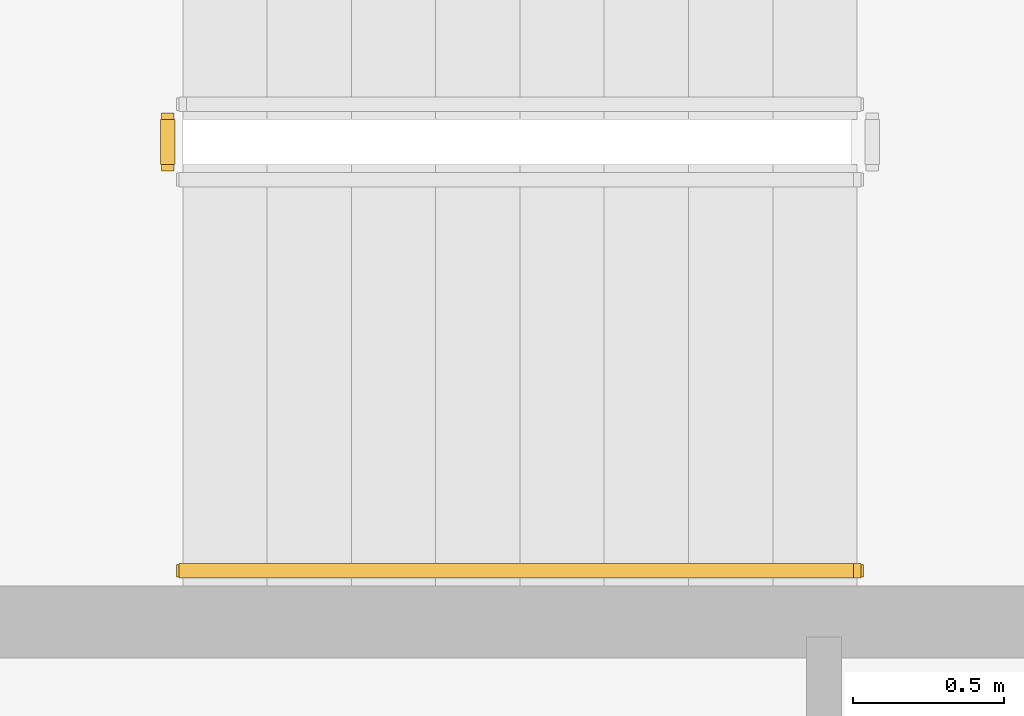
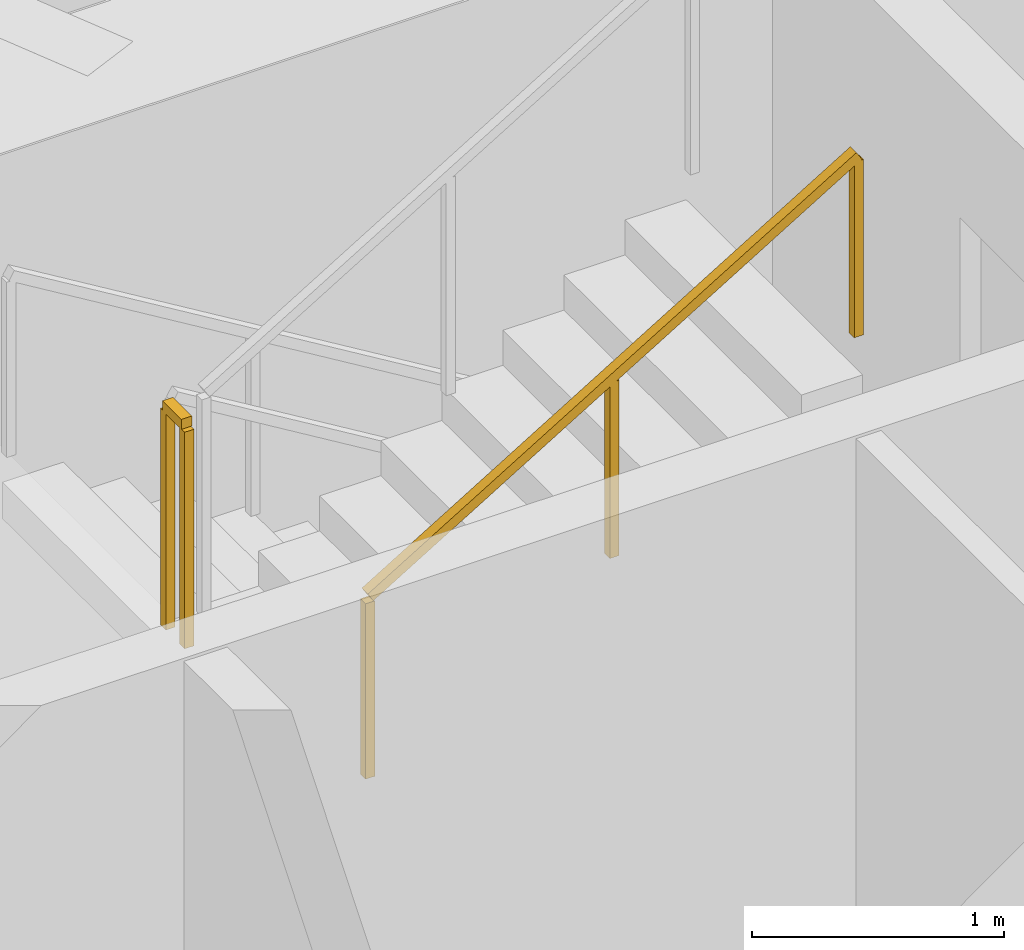
# One storey, part 27 of 32: 2 railings.
"""IFC4 building model written with IfcOpenShell, lengths in metres."""

from ifc_helpers import new_model, si_unit, direction, frame, origin, origin_2d, place, context, subcontext, project, spatial, rectangle, extrude, material, type_object, element, save


model = new_model("IFC4")

# Units and contexts
model_context = context("Model", 3, precision=1e-05, world=origin(), true_north=direction((0.0, 1.0)))
body_context = subcontext(model_context, "Body", "Model", "MODEL_VIEW")
ifc_project = project(units=[si_unit("LENGTHUNIT", "METRE"), si_unit("AREAUNIT", "SQUARE_METRE"), si_unit("VOLUMEUNIT", "CUBIC_METRE"), si_unit("PLANEANGLEUNIT", "RADIAN"), si_unit("MASSUNIT", "GRAM", prefix="KILO")], contexts=[model_context])

# Site, building, storey
site_placement = place(None, origin())
site = spatial("IfcSite", under=ifc_project, at=site_placement, CompositionType="ELEMENT")
building_placement = place(site_placement, origin())
building = spatial("IfcBuilding", under=site, at=building_placement, Name="Norrkilde Senior Care Towers", CompositionType="ELEMENT")
storey_placement = place(building_placement, frame((0.0, 0.0, 77.949951171875)))
storey = spatial("IfcBuildingStorey", under=building, at=storey_placement, Name="L23", CompositionType="ELEMENT", Elevation=77.949951171875)

# Railings
ifc_material_1 = material(Name="Stainless Steel", Category="steel")
railing_type_1 = type_object("IfcRailingType", Name="Stair and Terrace Guardrail 1100", PredefinedType="GUARDRAIL", material=ifc_material_1)
railing_1_placement = place(storey_placement, frame((24.610107421875, 4.0, 1.525146484375)))
element("IfcRailing", 1, at=railing_1_placement, inside=storey, type_object=railing_type_1, Name="L23 ST-E1 stair guard 2", PredefinedType="GUARDRAIL", context=body_context, shape_type="SweptSolid", body=[
    extrude(rectangle(XDim=0.048095703125, YDim=0.048095703125, at=origin_2d()), frame((0.0, 0.0, 1.076171875), z_axis=(0.0, -1.0, 0.0), x_axis=(1.0, 0.0, 0.0)), (0.0, 0.0, 1.0), 0.14990234375),
    extrude(rectangle(XDim=0.0419921875, YDim=0.0419921875, at=origin_2d()), origin(), (0.0, 0.0, 1.0), 1.050048828125),
    extrude(rectangle(XDim=0.0419921875, YDim=0.0419921875, at=origin_2d()), frame((0.0, -0.14990234375, 0.0)), (0.0, 0.0, 1.0), 1.050048828125),
])
ifc_material_2 = material(Name="Nordic Ash Timber", Category="wood")
railing_type_2 = type_object("IfcRailingType", Name="Wall and Stair Handrail 900", PredefinedType="HANDRAIL", material=ifc_material_2)
railing_2_placement = place(storey_placement, frame((24.659912109375, 2.5, 1.694580078125)))
element("IfcRailing", 2, at=railing_2_placement, inside=storey, type_object=railing_type_2, Name="L23 ST-E1 stair handrail 2", PredefinedType="HANDRAIL", context=body_context, shape_type="SweptSolid", body=[
    extrude(rectangle(XDim=0.048095703125, YDim=0.048095703125, at=origin_2d()), frame((0.0, 0.0, 0.8759765625), z_axis=(0.855553338991, 0.0, 0.51771467445), x_axis=(0.0, 1.0, 0.0)), (0.0, 0.0, 1.0), 2.6181640625),
    extrude(rectangle(XDim=0.0419921875, YDim=0.0419921875, at=origin_2d()), origin(), (0.0, 0.0, 1.0), 0.849853515625),
    extrude(rectangle(XDim=0.0419921875, YDim=0.0419921875, at=origin_2d()), frame((1.1201171875, 0.0, 0.677734375)), (0.0, 0.0, 1.0), 0.849853515625),
    extrude(rectangle(XDim=0.0419921875, YDim=0.0419921875, at=origin_2d()), frame((2.239990234375, 0.0, 1.35546875)), (0.0, 0.0, 1.0), 0.849853515625),
])

save(model, "model.ifc")
